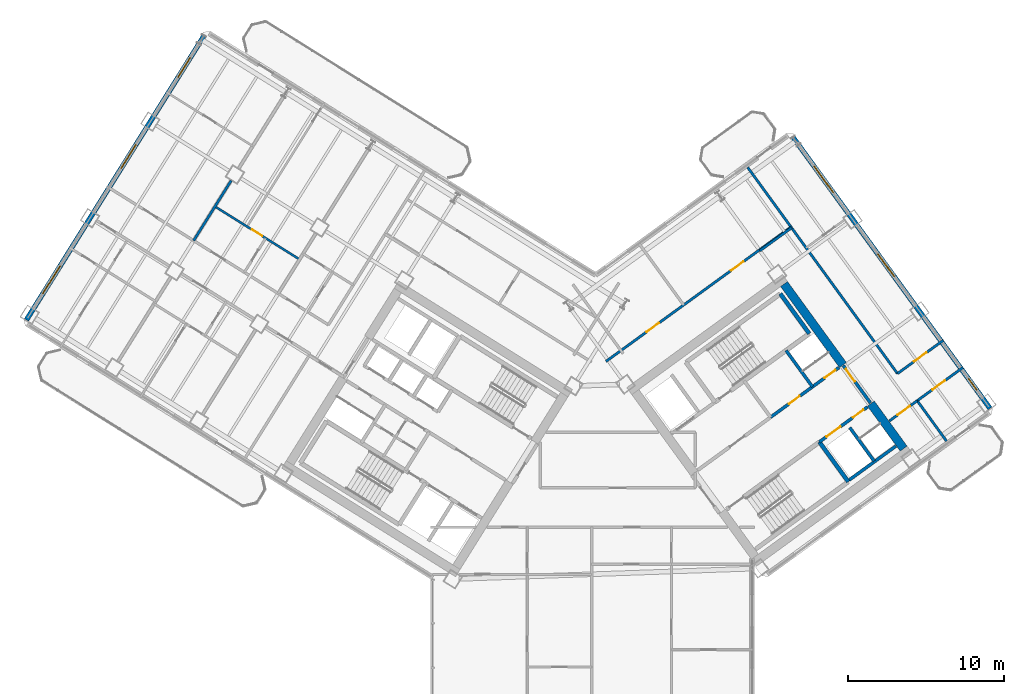
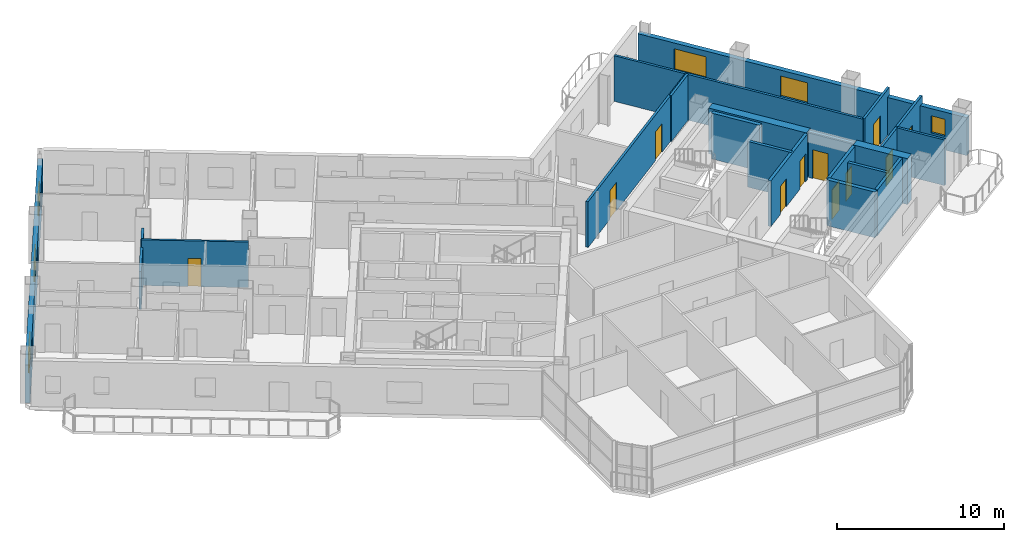
# One storey, part 15 of 21: 21 walls, 11 doors, 6 windows, 17 openings.
"""IFC4 building model written with IfcOpenShell, lengths in metres."""

from ifc_helpers import new_model, si_unit, direction, frame, frame_2d, origin, place, context, subcontext, project, spatial, rectangle, extrude, source, transform, mapped, material, layer, layer_set, type_object, element, fill, save


model = new_model("IFC4")

# Units and contexts
model_context = context("Model", 3, precision=1e-05, world=origin(), true_north=direction((0.0, 1.0)))
body_context = subcontext(model_context, "Body", "Model", "MODEL_VIEW")
ifc_project = project(units=[si_unit("LENGTHUNIT", "METRE"), si_unit("AREAUNIT", "SQUARE_METRE"), si_unit("VOLUMEUNIT", "CUBIC_METRE"), si_unit("PLANEANGLEUNIT", "RADIAN"), si_unit("MASSUNIT", "GRAM", prefix="KILO")], contexts=[model_context])

# Site, building, storey
site_placement = place(None, origin())
site = spatial("IfcSite", under=ifc_project, at=site_placement, CompositionType="ELEMENT")
building_placement = place(site_placement, origin())
building = spatial("IfcBuilding", under=site, at=building_placement, Name="Tlacorven Tower", CompositionType="ELEMENT")
storey_placement = place(building_placement, frame((0.0, 0.0, 112.5)))
storey = spatial("IfcBuildingStorey", under=building, at=storey_placement, Name="L28", CompositionType="ELEMENT", Elevation=112.5)

# Walls
ifc_material_1 = material(Name="Concrete C60/75", Category="concrete")
ifc_layer_1 = layer(ifc_material_1, 0.550048828125)
ifc_layer_set_1 = layer_set([ifc_layer_1], Name="Concrete C60/75")
wall_type_1 = type_object("IfcWallType", Name="WL-COR-550", PredefinedType="SHEAR", material=ifc_layer_set_1)
wall_1_placement = place(storey_placement, frame((61.9580078125, 20.453857421875, 0.0), z_axis=(0.0, 0.0, 1.0), x_axis=(-0.587802113096, 0.809004744015, 0.0)))
element("IfcWall", 1, at=wall_1_placement, inside=storey, type_object=wall_type_1, Name="L28 E core end wall E2.1", PredefinedType="SHEAR", context=body_context, shape_type="SweptSolid", body=[
    extrude(rectangle(XDim=3.574951171875, YDim=0.550048828125, at=frame_2d((1.78759765625, 0.0))), origin(), (0.0, 0.0, 1.0), 3.35009765625),
])
wall_2_placement = place(storey_placement, frame((58.06396484375, 25.8134765625, 0.0), z_axis=(0.0, 0.0, 1.0), x_axis=(-0.587764933797, 0.809031756236, 0.0)))
element("IfcWall", 2, at=wall_2_placement, inside=storey, type_object=wall_type_1, Name="L28 E core end wall E2.2", PredefinedType="SHEAR", context=body_context, shape_type="SweptSolid", body=[
    extrude(rectangle(XDim=6.425048828125, YDim=0.550048828125, at=frame_2d((3.21240234375, 0.0))), origin(), (0.0, 0.0, 1.0), 3.35009765625),
])
ifc_material_2 = material(Name="Gypsum plasterboard acoustic partition", Category="gypsum")
ifc_layer_2 = layer(ifc_material_2, 0.159912109375)
ifc_layer_set_2 = layer_set([ifc_layer_2], Name="Gypsum plasterboard acoustic partition")
wall_type_2 = type_object("IfcWallType", Name="WL-DEM-160", PredefinedType="PARTITIONING", material=ifc_layer_set_2)
wall_3_placement = place(storey_placement, frame((18.828125, 37.642578125, 0.0), z_axis=(0.0, 0.0, 1.0), x_axis=(-0.529926399231, -0.848043637673, 0.0)))
element("IfcWall", 3, at=wall_3_placement, inside=storey, type_object=wall_type_2, Name="L28 WS Demising Wall 2", PredefinedType="PARTITIONING", context=body_context, shape_type="SweptSolid", body=[
    extrude(rectangle(XDim=4.537841796875, YDim=0.159912109375, at=frame_2d((2.26904296875, 0.0))), origin(), (0.0, 0.0, 1.0), 2.77490234375),
])

# Wall, opening, door
wall_4_placement = place(storey_placement, frame((61.04150390625, 22.229248046875, 0.0), z_axis=(0.0, 0.0, 1.0), x_axis=(0.809075443949, 0.587704794942, 0.0)))
wall_4 = element("IfcWall", 4, at=wall_4_placement, inside=storey, type_object=wall_type_2, Name="L28 partition 90", PredefinedType="PARTITIONING", context=body_context, shape_type="SweptSolid", body=[
    extrude(rectangle(XDim=2.2080078125, YDim=0.159912109375, at=frame_2d((1.10400390625, 0.0))), origin(), (0.0, 0.0, 1.0), 3.340087890625),
])
opening_1_placement = place(wall_4_placement, frame((0.64794921875, 0.0, 0.0)))
opening_1 = element("IfcOpeningElement", 5, at=opening_1_placement, cuts=wall_4, Name="Opening D11", PredefinedType="OPENING", context=body_context, shape_type="SweptSolid", body=[
    extrude(rectangle(XDim=1.0, YDim=2.10009765625, at=frame_2d((0.5, 1.050048828125))), frame((0.0, 0.08984375, 0.0), z_axis=(0.0, -1.0, 0.0), x_axis=(1.0, 0.0, 0.0)), (0.0, 0.0, 1.0), 0.179931640625),
])
ifc_material_3 = material(Name="Fire-rated steel door assembly", Category="steel")
door_type_1 = type_object("IfcDoorType", Name="DR-FLT-FD60-1000", OperationType="NOTDEFINED", PredefinedType="DOOR", material=ifc_material_3)
shared_shape_1 = source(origin(), body_context, "Body", "SweptSolid", [
    extrude(rectangle(XDim=1.0, YDim=2.10009765625, at=frame_2d((0.5, 1.050048828125))), frame((0.0, 0.02490234375, 0.0), z_axis=(0.0, -1.0, 0.0), x_axis=(1.0, 0.0, 0.0)), (0.0, 0.0, 1.0), 0.050048828125),
])
door_1_placement = place(opening_1_placement, frame((1.0, 0.0, 0.0), z_axis=(0.0, 0.0, 1.0), x_axis=(-1.0, 0.0, 0.0)))
door_1 = element("IfcDoor", 6, at=door_1_placement, inside=storey, type_object=door_type_1, Name="L28 door 059", OperationType="SINGLE_SWING_RIGHT", OverallHeight=2.10009765625, OverallWidth=1.0, PredefinedType="DOOR", context=body_context, shape_type="MappedRepresentation", body=[
    mapped(shared_shape_1, transform((0.0, 0.0, 0.0), scale=1.0)),
])
fill(opening_1, door_1)

# Walls
wall_5_placement = place(storey_placement, frame((52.73876953125, 33.143310546875, 0.0), z_axis=(0.0, 0.0, 1.0), x_axis=(0.809000999347, 0.58780726693, 0.0)))
element("IfcWall", 7, at=wall_5_placement, inside=storey, type_object=wall_type_2, Name="L28 partition 91", PredefinedType="PARTITIONING", context=body_context, shape_type="SweptSolid", body=[
    extrude(rectangle(XDim=2.510009765625, YDim=0.159912109375, at=frame_2d((1.2548828125, 0.0))), origin(), (0.0, 0.0, 1.0), 3.340087890625),
])
wall_6_placement = place(storey_placement, frame((64.708740234375, 20.93798828125, 0.0), z_axis=(0.0, 0.0, 1.0), x_axis=(-0.587772420479, 0.809026317077, 0.0)))
element("IfcWall", 8, at=wall_6_placement, inside=storey, type_object=wall_type_2, Name="L28 partition 92", PredefinedType="PARTITIONING", context=body_context, shape_type="SweptSolid", body=[
    extrude(rectangle(XDim=3.199951171875, YDim=0.159912109375, at=frame_2d((1.60009765625, 0.0))), origin(), (0.0, 0.0, 1.0), 3.340087890625),
])
wall_7_placement = place(storey_placement, frame((61.564208984375, 25.266357421875, 0.0), z_axis=(0.0, 0.0, 1.0), x_axis=(-0.587784527444, 0.809017521007, 0.0)))
element("IfcWall", 9, at=wall_7_placement, inside=storey, type_object=wall_type_2, Name="L28 partition 93", PredefinedType="PARTITIONING", context=body_context, shape_type="SweptSolid", body=[
    extrude(rectangle(XDim=16.35009765625, YDim=0.159912109375, at=frame_2d((8.175048828125, 0.0))), origin(), (0.0, 0.0, 1.0), 3.340087890625),
])

# Wall, opening, door
wall_8_placement = place(storey_placement, frame((62.827880859375, 23.52685546875, 0.0), z_axis=(0.0, 0.0, 1.0), x_axis=(0.809003564202, 0.587803736896, 0.0)))
wall_8 = element("IfcWall", 10, at=wall_8_placement, inside=storey, type_object=wall_type_2, Name="L28 partition 95", PredefinedType="PARTITIONING", context=body_context, shape_type="SweptSolid", body=[
    extrude(rectangle(XDim=3.630126953125, YDim=0.159912109375, at=frame_2d((1.81494140625, 0.0))), origin(), (0.0, 0.0, 1.0), 3.340087890625),
])
opening_2_placement = place(wall_8_placement, frame((1.199951171875, 0.0, 0.0)))
opening_2 = element("IfcOpeningElement", 11, at=opening_2_placement, cuts=wall_8, Name="Opening D11", PredefinedType="OPENING", context=body_context, shape_type="SweptSolid", body=[
    extrude(rectangle(XDim=1.0, YDim=2.10009765625, at=frame_2d((0.5, 1.050048828125))), frame((0.0, 0.08984375, 0.0), z_axis=(0.0, -1.0, 0.0), x_axis=(1.0, 0.0, 0.0)), (0.0, 0.0, 1.0), 0.179931640625),
])
door_2_placement = place(opening_2_placement, frame((1.0, 0.0, 0.0), z_axis=(0.0, 0.0, 1.0), x_axis=(-1.0, 0.0, 0.0)))
door_2 = element("IfcDoor", 12, at=door_2_placement, inside=storey, type_object=door_type_1, Name="L28 door 063", OperationType="SINGLE_SWING_RIGHT", OverallHeight=2.10009765625, OverallWidth=1.0, PredefinedType="DOOR", context=body_context, shape_type="MappedRepresentation", body=[
    mapped(shared_shape_1, transform((0.0, 0.0, 0.0), scale=1.0)),
])
fill(opening_2, door_2)

wall_9_placement = place(storey_placement, frame((61.564208984375, 25.266357421875, 0.0), z_axis=(0.0, 0.0, 1.0), x_axis=(0.809012309495, 0.587791700422, 0.0)))
wall_9 = element("IfcWall", 13, at=wall_9_placement, inside=storey, type_object=wall_type_2, Name="L28 partition 96", PredefinedType="PARTITIONING", context=body_context, shape_type="SweptSolid", body=[
    extrude(rectangle(XDim=3.6298828125, YDim=0.159912109375, at=frame_2d((1.81494140625, 0.0))), origin(), (0.0, 0.0, 1.0), 3.340087890625),
])
opening_3_placement = place(wall_9_placement, frame((1.304931640625, 0.0, 0.0)))
opening_3 = element("IfcOpeningElement", 14, at=opening_3_placement, cuts=wall_9, Name="Opening D11", PredefinedType="OPENING", context=body_context, shape_type="SweptSolid", body=[
    extrude(rectangle(XDim=1.0, YDim=2.10009765625, at=frame_2d((0.5, 1.050048828125))), frame((0.0, 0.08984375, 0.0), z_axis=(0.0, -1.0, 0.0), x_axis=(1.0, 0.0, 0.0)), (0.0, 0.0, 1.0), 0.179931640625),
])
door_3_placement = place(opening_3_placement, origin())
door_3 = element("IfcDoor", 15, at=door_3_placement, inside=storey, type_object=door_type_1, Name="L28 door 061", OperationType="SINGLE_SWING_RIGHT", OverallHeight=2.10009765625, OverallWidth=1.0, PredefinedType="DOOR", context=body_context, shape_type="MappedRepresentation", body=[
    mapped(shared_shape_1, transform((0.0, 0.0, 0.0), scale=1.0)),
])
fill(opening_3, door_3)

# Wall, openings, doors
wall_10_placement = place(storey_placement, frame((42.86572265625, 26.04443359375, 0.0), z_axis=(0.0, 0.0, 1.0), x_axis=(0.809020254154, 0.587780765566, 0.0)))
wall_10 = element("IfcWall", 16, at=wall_10_placement, inside=storey, type_object=wall_type_2, Name="L28 partition 98", PredefinedType="PARTITIONING", context=body_context, shape_type="SweptSolid", body=[
    extrude(rectangle(XDim=14.670166015625, YDim=0.159912109375, at=frame_2d((7.3349609375, 0.0))), origin(), (0.0, 0.0, 1.0), 3.340087890625),
])
opening_4_placement = place(wall_10_placement, frame((3.215087890625, 0.0, 0.0)))
opening_4 = element("IfcOpeningElement", 17, at=opening_4_placement, cuts=wall_10, Name="Opening D11", PredefinedType="OPENING", context=body_context, shape_type="SweptSolid", body=[
    extrude(rectangle(XDim=1.0, YDim=2.10009765625, at=frame_2d((0.5, 1.050048828125))), frame((0.0, 0.08984375, 0.0), z_axis=(0.0, -1.0, 0.0), x_axis=(1.0, 0.0, 0.0)), (0.0, 0.0, 1.0), 0.179931640625),
])
opening_5_placement = place(wall_10_placement, frame((9.9150390625, 0.0, 0.0)))
opening_5 = element("IfcOpeningElement", 18, at=opening_5_placement, cuts=wall_10, Name="Opening D11", PredefinedType="OPENING", context=body_context, shape_type="SweptSolid", body=[
    extrude(rectangle(XDim=1.0, YDim=2.10009765625, at=frame_2d((0.5, 1.050048828125))), frame((0.0, 0.08984375, 0.0), z_axis=(0.0, -1.0, 0.0), x_axis=(1.0, 0.0, 0.0)), (0.0, 0.0, 1.0), 0.179931640625),
])
door_4_placement = place(opening_4_placement, origin())
door_4 = element("IfcDoor", 19, at=door_4_placement, inside=storey, type_object=door_type_1, Name="L28 door 064", OperationType="SINGLE_SWING_LEFT", OverallHeight=2.10009765625, OverallWidth=1.0, PredefinedType="DOOR", context=body_context, shape_type="MappedRepresentation", body=[
    mapped(shared_shape_1, transform((0.0, 0.0, 0.0), scale=1.0)),
])
fill(opening_4, door_4)
door_5_placement = place(opening_5_placement, origin())
door_5 = element("IfcDoor", 20, at=door_5_placement, inside=storey, type_object=door_type_1, Name="L28 door 065", OperationType="SINGLE_SWING_RIGHT", OverallHeight=2.10009765625, OverallWidth=1.0, PredefinedType="DOOR", context=body_context, shape_type="MappedRepresentation", body=[
    mapped(shared_shape_1, transform((0.0, 0.0, 0.0), scale=1.0)),
])
fill(opening_5, door_5)

# Wall, openings, windows
ifc_material_4 = material(Name="Precast concrete C45/55", Category="concrete")
ifc_layer_3 = layer(ifc_material_4, 0.320068359375)
ifc_layer_set_3 = layer_set([ifc_layer_3], Name="Precast concrete C45/55")
wall_type_3 = type_object("IfcWallType", Name="WL-EXT-320", PredefinedType="STANDARD", material=ifc_layer_set_3)
wall_11_placement = place(storey_placement, frame((5.699951171875, 28.71044921875, 0.0), z_axis=(0.0, 0.0, 1.0), x_axis=(0.529923711467, 0.8480453172, 0.0)))
wall_11 = element("IfcWall", 21, at=wall_11_placement, inside=storey, type_object=wall_type_3, Name="L28 Masonry-Frame Recessed Facade Wall 2", PredefinedType="STANDARD", context=body_context, shape_type="SweptSolid", body=[
    extrude(rectangle(XDim=21.58740234375, YDim=0.320068359375, at=frame_2d((10.793701171875, 0.0))), origin(), (0.0, 0.0, 1.0), 2.77490234375),
])
opening_6_placement = place(wall_11_placement, frame((1.983642578125, 0.0, 0.800048828125)))
opening_6 = element("IfcOpeningElement", 22, at=opening_6_placement, cuts=wall_11, Name="Opening WN04", PredefinedType="OPENING", context=body_context, shape_type="SweptSolid", body=[
    extrude(rectangle(XDim=2.10009765625, YDim=1.550048828125, at=frame_2d((1.050048828125, 0.77490234375))), frame((0.0, 0.169921875, 0.0), z_axis=(0.0, -1.0, 0.0), x_axis=(1.0, 0.0, 0.0)), (0.0, 0.0, 1.0), 0.340087890625),
])
opening_7_placement = place(wall_11_placement, frame((11.458740234375, 0.0, 0.85009765625)))
opening_7 = element("IfcOpeningElement", 23, at=opening_7_placement, cuts=wall_11, Name="Opening WN01", PredefinedType="OPENING", context=body_context, shape_type="SweptSolid", body=[
    extrude(rectangle(XDim=1.800048828125, YDim=1.5, at=frame_2d((0.89990234375, 0.75))), frame((0.0, 0.169921875, 0.0), z_axis=(0.0, -1.0, 0.0), x_axis=(1.0, 0.0, 0.0)), (0.0, 0.0, 1.0), 0.340087890625),
])
opening_8_placement = place(wall_11_placement, frame((18.334716796875, 0.0, 0.85009765625)))
opening_8 = element("IfcOpeningElement", 24, at=opening_8_placement, cuts=wall_11, Name="Opening WN02", PredefinedType="OPENING", context=body_context, shape_type="SweptSolid", body=[
    extrude(rectangle(XDim=1.5, YDim=1.5, at=frame_2d((0.75, 0.75))), frame((0.0, 0.169921875, 0.0), z_axis=(0.0, -1.0, 0.0), x_axis=(1.0, 0.0, 0.0)), (0.0, 0.0, 1.0), 0.340087890625),
])
ifc_material_5 = material(Name="Dark solar low-E double glazing in anodised aluminium frame", Category="aluminium")
window_type_1 = type_object("IfcWindowType", Name="WN-APT-2100X1750", PartitioningType="SINGLE_PANEL", PredefinedType="WINDOW", material=ifc_material_5)
shared_shape_2 = source(origin(), body_context, "Body", "SweptSolid", [
    extrude(rectangle(XDim=2.10009765625, YDim=1.550048828125, at=frame_2d((1.050048828125, 0.77490234375))), frame((0.0, 0.030029296875, 0.0), z_axis=(0.0, -1.0, 0.0), x_axis=(1.0, 0.0, 0.0)), (0.0, 0.0, 1.0), 0.06005859375),
])
window_1_placement = place(opening_6_placement, origin())
window_1 = element("IfcWindow", 25, at=window_1_placement, inside=storey, type_object=window_type_1, Name="L28 Recessed Masonry-Frame Window L28-02.1", OverallHeight=1.550048828125, OverallWidth=2.10009765625, PartitioningType="SINGLE_PANEL", PredefinedType="WINDOW", context=body_context, shape_type="MappedRepresentation", body=[
    mapped(shared_shape_2, transform((0.0, 0.0, 0.0), scale=1.0)),
])
fill(opening_6, window_1)
window_type_2 = type_object("IfcWindowType", Name="WN-APT-1800X1650", PartitioningType="SINGLE_PANEL", PredefinedType="WINDOW", material=ifc_material_5)
shared_shape_3 = source(origin(), body_context, "Body", "SweptSolid", [
    extrude(rectangle(XDim=1.800048828125, YDim=1.5, at=frame_2d((0.89990234375, 0.75))), frame((0.0, 0.030029296875, 0.0), z_axis=(0.0, -1.0, 0.0), x_axis=(1.0, 0.0, 0.0)), (0.0, 0.0, 1.0), 0.06005859375),
])
window_2_placement = place(opening_7_placement, origin())
window_2 = element("IfcWindow", 26, at=window_2_placement, inside=storey, type_object=window_type_2, Name="L28 Recessed Masonry-Frame Window L28-02.2", OverallHeight=1.5, OverallWidth=1.800048828125, PartitioningType="SINGLE_PANEL", PredefinedType="WINDOW", context=body_context, shape_type="MappedRepresentation", body=[
    mapped(shared_shape_3, transform((0.0, 0.0, 0.0), scale=1.0)),
])
fill(opening_7, window_2)
window_type_3 = type_object("IfcWindowType", Name="WN-APT-1500X1650", PartitioningType="SINGLE_PANEL", PredefinedType="WINDOW", material=ifc_material_5)
shared_shape_4 = source(origin(), body_context, "Body", "SweptSolid", [
    extrude(rectangle(XDim=1.5, YDim=1.5, at=frame_2d((0.75, 0.75))), frame((0.0, 0.030029296875, 0.0), z_axis=(0.0, -1.0, 0.0), x_axis=(1.0, 0.0, 0.0)), (0.0, 0.0, 1.0), 0.06005859375),
])
window_3_placement = place(opening_8_placement, origin())
window_3 = element("IfcWindow", 27, at=window_3_placement, inside=storey, type_object=window_type_3, Name="L28 Recessed Masonry-Frame Window L28-02.3", OverallHeight=1.5, OverallWidth=1.5, PartitioningType="SINGLE_PANEL", PredefinedType="WINDOW", context=body_context, shape_type="MappedRepresentation", body=[
    mapped(shared_shape_4, transform((0.0, 0.0, 0.0), scale=1.0)),
])
fill(opening_8, window_3)

wall_12_placement = place(storey_placement, frame((54.810302734375, 40.49951171875, 0.0), z_axis=(0.0, 0.0, 1.0), x_axis=(0.587783625747, -0.809018176127, 0.0)))
wall_12 = element("IfcWall", 28, at=wall_12_placement, inside=storey, type_object=wall_type_3, Name="L28 Masonry-Frame Recessed Facade Wall 5", PredefinedType="STANDARD", context=body_context, shape_type="SweptSolid", body=[
    extrude(rectangle(XDim=21.58740234375, YDim=0.320068359375, at=frame_2d((10.793701171875, 0.0))), origin(), (0.0, 0.0, 1.0), 2.77490234375),
])
opening_9_placement = place(wall_12_placement, frame((2.381103515625, 0.0, 0.800048828125)))
opening_9 = element("IfcOpeningElement", 29, at=opening_9_placement, cuts=wall_12, Name="Opening WN04", PredefinedType="OPENING", context=body_context, shape_type="SweptSolid", body=[
    extrude(rectangle(XDim=2.10009765625, YDim=1.550048828125, at=frame_2d((1.050048828125, 0.77490234375))), frame((0.0, 0.169921875, 0.0), z_axis=(0.0, -1.0, 0.0), x_axis=(1.0, 0.0, 0.0)), (0.0, 0.0, 1.0), 0.340087890625),
])
opening_10_placement = place(wall_12_placement, frame((9.34375, 0.0, 0.85009765625)))
opening_10 = element("IfcOpeningElement", 30, at=opening_10_placement, cuts=wall_12, Name="Opening WN01", PredefinedType="OPENING", context=body_context, shape_type="SweptSolid", body=[
    extrude(rectangle(XDim=1.800048828125, YDim=1.5, at=frame_2d((0.89990234375, 0.75))), frame((0.0, 0.169921875, 0.0), z_axis=(0.0, -1.0, 0.0), x_axis=(1.0, 0.0, 0.0)), (0.0, 0.0, 1.0), 0.340087890625),
])
opening_11_placement = place(wall_12_placement, frame((19.233642578125, 0.0, 1.0)))
opening_11 = element("IfcOpeningElement", 31, at=opening_11_placement, cuts=wall_12, Name="Opening WN05", PredefinedType="OPENING", context=body_context, shape_type="SweptSolid", body=[
    extrude(rectangle(XDim=0.89990234375, YDim=1.25, at=frame_2d((0.449951171875, 0.625))), frame((0.0, 0.169921875, 0.0), z_axis=(0.0, -1.0, 0.0), x_axis=(1.0, 0.0, 0.0)), (0.0, 0.0, 1.0), 0.340087890625),
])
window_4_placement = place(opening_9_placement, origin())
window_4 = element("IfcWindow", 32, at=window_4_placement, inside=storey, type_object=window_type_1, Name="L28 Recessed Masonry-Frame Window L28-05.1", OverallHeight=1.550048828125, OverallWidth=2.10009765625, PartitioningType="SINGLE_PANEL", PredefinedType="WINDOW", context=body_context, shape_type="MappedRepresentation", body=[
    mapped(shared_shape_2, transform((0.0, 0.0, 0.0), scale=1.0)),
])
fill(opening_9, window_4)
window_5_placement = place(opening_10_placement, origin())
window_5 = element("IfcWindow", 33, at=window_5_placement, inside=storey, type_object=window_type_2, Name="L28 Recessed Masonry-Frame Window L28-05.2", OverallHeight=1.5, OverallWidth=1.800048828125, PartitioningType="SINGLE_PANEL", PredefinedType="WINDOW", context=body_context, shape_type="MappedRepresentation", body=[
    mapped(shared_shape_3, transform((0.0, 0.0, 0.0), scale=1.0)),
])
fill(opening_10, window_5)
window_type_4 = type_object("IfcWindowType", Name="WN-APT-0900X1350", PartitioningType="SINGLE_PANEL", PredefinedType="WINDOW", material=ifc_material_5)
shared_shape_5 = source(origin(), body_context, "Body", "SweptSolid", [
    extrude(rectangle(XDim=0.89990234375, YDim=1.25, at=frame_2d((0.449951171875, 0.625))), frame((0.0, 0.030029296875, 0.0), z_axis=(0.0, -1.0, 0.0), x_axis=(1.0, 0.0, 0.0)), (0.0, 0.0, 1.0), 0.06005859375),
])
window_6_placement = place(opening_11_placement, origin())
window_6 = element("IfcWindow", 34, at=window_6_placement, inside=storey, type_object=window_type_4, Name="L28 Recessed Masonry-Frame Window L28-05.3", OverallHeight=1.25, OverallWidth=0.89990234375, PartitioningType="SINGLE_PANEL", PredefinedType="WINDOW", context=body_context, shape_type="MappedRepresentation", body=[
    mapped(shared_shape_5, transform((0.0, 0.0, 0.0), scale=1.0)),
])
fill(opening_11, window_6)

# Wall, opening, door
ifc_material_6 = material(Name="Moisture-resistant gypsum plumbing wall", Category="gypsum")
ifc_layer_4 = layer(ifc_material_6, 0.139892578125)
ifc_layer_set_4 = layer_set([ifc_layer_4], Name="Moisture-resistant gypsum plumbing wall")
wall_type_4 = type_object("IfcWallType", Name="WL-PLM-140", PredefinedType="PLUMBINGWALL", material=ifc_layer_set_4)
wall_13_placement = place(storey_placement, frame((23.218017578125, 32.590576171875, 0.0), z_axis=(0.0, 0.0, 1.0), x_axis=(-0.848056163074, 0.529906354247, 0.0)))
wall_13 = element("IfcWall", 35, at=wall_13_placement, inside=storey, type_object=wall_type_4, Name="L28 partition 65", PredefinedType="PLUMBINGWALL", context=body_context, shape_type="SweptSolid", body=[
    extrude(rectangle(XDim=6.39990234375, YDim=0.139892578125, at=frame_2d((3.199951171875, 0.0))), origin(), (0.0, 0.0, 1.0), 3.340087890625),
])
opening_12_placement = place(wall_13_placement, frame((2.823974609375, 0.0, 0.0)))
opening_12 = element("IfcOpeningElement", 36, at=opening_12_placement, cuts=wall_13, Name="Opening D22", PredefinedType="OPENING", context=body_context, shape_type="SweptSolid", body=[
    extrude(rectangle(XDim=0.780029296875, YDim=2.050048828125, at=frame_2d((0.39013671875, 1.02490234375))), frame((0.0, 0.080078125, 0.0), z_axis=(0.0, -1.0, 0.0), x_axis=(1.0, 0.0, 0.0)), (0.0, 0.0, 1.0), 0.159912109375),
])
ifc_material_7 = material(Name="Powder-coated aluminium and timber door", Category="wood")
door_type_2 = type_object("IfcDoorType", Name="DR-INT-WET-0780", OperationType="NOTDEFINED", PredefinedType="DOOR", material=ifc_material_7)
shared_shape_6 = source(origin(), body_context, "Body", "SweptSolid", [
    extrude(rectangle(XDim=0.780029296875, YDim=2.050048828125, at=frame_2d((0.39013671875, 1.02490234375))), frame((0.0, 0.02490234375, 0.0), z_axis=(0.0, -1.0, 0.0), x_axis=(1.0, 0.0, 0.0)), (0.0, 0.0, 1.0), 0.050048828125),
])
door_6_placement = place(opening_12_placement, origin())
door_6 = element("IfcDoor", 37, at=door_6_placement, inside=storey, type_object=door_type_2, Name="L28 door 039", OperationType="SINGLE_SWING_RIGHT", OverallHeight=2.050048828125, OverallWidth=0.780029296875, PredefinedType="DOOR", context=body_context, shape_type="MappedRepresentation", body=[
    mapped(shared_shape_6, transform((0.0, 0.0, 0.0), scale=1.0)),
])
fill(opening_12, door_6)

# Wall, openings, doors
ifc_material_8 = material(Name="Concrete C40/50", Category="concrete")
ifc_layer_5 = layer(ifc_material_8, 0.199951171875)
ifc_layer_set_5 = layer_set([ifc_layer_5], Name="Concrete C40/50")
wall_type_5 = type_object("IfcWallType", Name="WL-SHF-200", PredefinedType="STANDARD", material=ifc_layer_set_5)
wall_14_placement = place(storey_placement, frame((56.552978515625, 20.884033203125, 0.0), z_axis=(0.0, 0.0, 1.0), x_axis=(0.809023564264, 0.58777620951, 0.0)))
wall_14 = element("IfcWall", 38, at=wall_14_placement, inside=storey, type_object=wall_type_5, Name="L28 Core E South Lift Shaft Wall", PredefinedType="STANDARD", context=body_context, shape_type="SweptSolid", body=[
    extrude(rectangle(XDim=3.818115234375, YDim=0.199951171875, at=frame_2d((1.9091796875, 0.0))), origin(), (0.0, 0.0, 1.0), 3.340087890625),
])
opening_13_placement = place(wall_14_placement, frame((0.570068359375, 0.0, 0.0)))
opening_13 = element("IfcOpeningElement", 39, at=opening_13_placement, cuts=wall_14, Name="Opening LD01", PredefinedType="OPENING", context=body_context, shape_type="SweptSolid", body=[
    extrude(rectangle(XDim=1.10009765625, YDim=2.14990234375, at=frame_2d((0.550048828125, 1.074951171875))), frame((0.0, 0.10986328125, 0.0), z_axis=(0.0, -1.0, 0.0), x_axis=(1.0, 0.0, 0.0)), (0.0, 0.0, 1.0), 0.219970703125),
])
opening_14_placement = place(wall_14_placement, frame((2.64990234375, 0.0, 0.0)))
opening_14 = element("IfcOpeningElement", 40, at=opening_14_placement, cuts=wall_14, Name="Opening D19", PredefinedType="OPENING", context=body_context, shape_type="SweptSolid", body=[
    extrude(rectangle(XDim=0.860107421875, YDim=2.050048828125, at=frame_2d((0.43017578125, 1.02490234375))), frame((0.0, 0.10986328125, 0.0), z_axis=(0.0, -1.0, 0.0), x_axis=(1.0, 0.0, 0.0)), (0.0, 0.0, 1.0), 0.219970703125),
])
door_type_3 = type_object("IfcDoorType", Name="DR-RSR-FD60-0860", OperationType="NOTDEFINED", PredefinedType="DOOR", material=ifc_material_3)
shared_shape_7 = source(origin(), body_context, "Body", "SweptSolid", [
    extrude(rectangle(XDim=0.860107421875, YDim=2.050048828125, at=frame_2d((0.43017578125, 1.02490234375))), frame((0.0, 0.02490234375, 0.0), z_axis=(0.0, -1.0, 0.0), x_axis=(1.0, 0.0, 0.0)), (0.0, 0.0, 1.0), 0.050048828125),
])
door_7_placement = place(opening_14_placement, origin())
door_7 = element("IfcDoor", 41, at=door_7_placement, inside=storey, type_object=door_type_3, Name="L28 Smoke Extract Riser Access Door", OperationType="SINGLE_SWING_LEFT", OverallHeight=2.050048828125, OverallWidth=0.860107421875, PredefinedType="DOOR", context=body_context, shape_type="MappedRepresentation", body=[
    mapped(shared_shape_7, transform((0.0, 0.0, 0.0), scale=1.0)),
])
fill(opening_14, door_7)
door_type_4 = type_object("IfcDoorType", Name="DR-LFT-SLID-1100", OperationType="DOUBLE_DOOR_SLIDING", PredefinedType="DOOR", material=ifc_material_3)
shared_shape_8 = source(origin(), body_context, "Body", "SweptSolid", [
    extrude(rectangle(XDim=1.10009765625, YDim=2.14990234375, at=frame_2d((0.550048828125, 1.074951171875))), frame((0.0, 0.02490234375, 0.0), z_axis=(0.0, -1.0, 0.0), x_axis=(1.0, 0.0, 0.0)), (0.0, 0.0, 1.0), 0.050048828125),
])
door_8_placement = place(opening_13_placement, origin())
door_8 = element("IfcDoor", 42, at=door_8_placement, inside=storey, type_object=door_type_4, Name="L28 Lift PL-M4 Sliding Landing Door", OperationType="DOUBLE_DOOR_SLIDING", OverallHeight=2.14990234375, OverallWidth=1.10009765625, PredefinedType="DOOR", context=body_context, shape_type="MappedRepresentation", body=[
    mapped(shared_shape_8, transform((0.0, 0.0, 0.0), scale=1.0)),
])
fill(opening_13, door_8)

# Walls
wall_15_placement = place(storey_placement, frame((60.066650390625, 19.654541015625, 0.0), z_axis=(0.0, 0.0, 1.0), x_axis=(-0.587800520745, 0.809005900975, 0.0)))
element("IfcWall", 43, at=wall_15_placement, inside=storey, type_object=wall_type_5, Name="L28 partition 37", PredefinedType="STANDARD", context=body_context, shape_type="SweptSolid", body=[
    extrude(rectangle(XDim=2.659912109375, YDim=0.199951171875, at=frame_2d((1.330078125, 0.0))), origin(), (0.0, 0.0, 1.0), 3.340087890625),
])
wall_16_placement = place(storey_placement, frame((58.47216796875, 18.446533203125, 0.0), z_axis=(0.0, 0.0, 1.0), x_axis=(0.809018631237, 0.587782999339, 0.0)))
element("IfcWall", 44, at=wall_16_placement, inside=storey, type_object=wall_type_5, Name="L28 partition 39", PredefinedType="STANDARD", context=body_context, shape_type="SweptSolid", body=[
    extrude(rectangle(XDim=3.697998046875, YDim=0.199951171875, at=frame_2d((1.84912109375, 0.0))), origin(), (0.0, 0.0, 1.0), 3.340087890625),
])
wall_17_placement = place(storey_placement, frame((56.110595703125, 24.4189453125, 0.0), z_axis=(0.0, 0.0, 1.0), x_axis=(-0.58777848983, 0.809021907548, 0.0)))
element("IfcWall", 45, at=wall_17_placement, inside=storey, type_object=wall_type_5, Name="L28 partition 42", PredefinedType="STANDARD", context=body_context, shape_type="SweptSolid", body=[
    extrude(rectangle(XDim=2.880126953125, YDim=0.199951171875, at=frame_2d((1.43994140625, 0.0))), origin(), (0.0, 0.0, 1.0), 3.340087890625),
])

# Wall, openings, doors
wall_18_placement = place(storey_placement, frame((53.424560546875, 22.467529296875, 0.0), z_axis=(0.0, 0.0, 1.0), x_axis=(0.809024377198, 0.587775090574, 0.0)))
wall_18 = element("IfcWall", 46, at=wall_18_placement, inside=storey, type_object=wall_type_5, Name="L28 Core E North Service Wall", PredefinedType="STANDARD", context=body_context, shape_type="SweptSolid", body=[
    extrude(rectangle(XDim=5.41796875, YDim=0.199951171875, at=frame_2d((2.708984375, 0.0))), origin(), (0.0, 0.0, 1.0), 3.340087890625),
])
opening_15_placement = place(wall_18_placement, frame((4.280029296875, 0.0, 0.0)))
opening_15 = element("IfcOpeningElement", 47, at=opening_15_placement, cuts=wall_18, Name="Opening D19", PredefinedType="OPENING", context=body_context, shape_type="SweptSolid", body=[
    extrude(rectangle(XDim=0.860107421875, YDim=2.050048828125, at=frame_2d((0.43017578125, 1.02490234375))), frame((0.0, 0.10986328125, 0.0), z_axis=(0.0, -1.0, 0.0), x_axis=(1.0, 0.0, 0.0)), (0.0, 0.0, 1.0), 0.219970703125),
])
opening_16_placement = place(wall_18_placement, frame((1.449951171875, 0.0, 0.0)))
opening_16 = element("IfcOpeningElement", 48, at=opening_16_placement, cuts=wall_18, Name="Opening D19", PredefinedType="OPENING", context=body_context, shape_type="SweptSolid", body=[
    extrude(rectangle(XDim=0.860107421875, YDim=2.050048828125, at=frame_2d((0.43017578125, 1.02490234375))), frame((0.0, 0.10986328125, 0.0), z_axis=(0.0, -1.0, 0.0), x_axis=(1.0, 0.0, 0.0)), (0.0, 0.0, 1.0), 0.219970703125),
])
door_9_placement = place(opening_15_placement, frame((0.860107421875, 0.0, 0.0), z_axis=(0.0, 0.0, 1.0), x_axis=(-1.0, 0.0, 0.0)))
door_9 = element("IfcDoor", 49, at=door_9_placement, inside=storey, type_object=door_type_3, Name="L28 Electrical Riser Access Door E", OperationType="SINGLE_SWING_RIGHT", OverallHeight=2.050048828125, OverallWidth=0.860107421875, PredefinedType="DOOR", context=body_context, shape_type="MappedRepresentation", body=[
    mapped(shared_shape_7, transform((0.0, 0.0, 0.0), scale=1.0)),
])
fill(opening_15, door_9)
door_10_placement = place(opening_16_placement, frame((0.860107421875, 0.0, 0.0), z_axis=(0.0, 0.0, 1.0), x_axis=(-1.0, 0.0, 0.0)))
door_10 = element("IfcDoor", 50, at=door_10_placement, inside=storey, type_object=door_type_3, Name="L28 Housekeeping Linen Access Door E", OperationType="SINGLE_SWING_LEFT", OverallHeight=2.050048828125, OverallWidth=0.860107421875, PredefinedType="DOOR", context=body_context, shape_type="MappedRepresentation", body=[
    mapped(shared_shape_7, transform((0.0, 0.0, 0.0), scale=1.0)),
])
fill(opening_16, door_10)

# Wall, opening, door
wall_19_placement = place(storey_placement, frame((59.827392578125, 23.386474609375, 0.0), z_axis=(0.0, 0.0, 1.0), x_axis=(-0.587803840107, 0.809003489211, 0.0)))
wall_19 = element("IfcWall", 51, at=wall_19_placement, inside=storey, type_object=wall_type_5, Name="L28 partition 89", PredefinedType="STANDARD", context=body_context, shape_type="SweptSolid", body=[
    extrude(rectangle(XDim=2.960205078125, YDim=0.199951171875, at=frame_2d((1.47998046875, 0.0))), origin(), (0.0, 0.0, 1.0), 3.340087890625),
])
opening_17_placement = place(wall_19_placement, frame((1.679931640625, 0.0, 0.0)))
opening_17 = element("IfcOpeningElement", 52, at=opening_17_placement, cuts=wall_19, Name="Opening D11", PredefinedType="OPENING", context=body_context, shape_type="SweptSolid", body=[
    extrude(rectangle(XDim=1.0, YDim=2.10009765625, at=frame_2d((0.5, 1.050048828125))), frame((0.0, 0.10986328125, 0.0), z_axis=(0.0, -1.0, 0.0), x_axis=(1.0, 0.0, 0.0)), (0.0, 0.0, 1.0), 0.219970703125),
])
door_11_placement = place(opening_17_placement, origin())
door_11 = element("IfcDoor", 53, at=door_11_placement, inside=storey, type_object=door_type_1, Name="L28 door 060", OperationType="SINGLE_SWING_LEFT", OverallHeight=2.10009765625, OverallWidth=1.0, PredefinedType="DOOR", context=body_context, shape_type="MappedRepresentation", body=[
    mapped(shared_shape_1, transform((0.0, 0.0, 0.0), scale=1.0)),
])
fill(opening_17, door_11)

# Walls
ifc_material_9 = material(Name="Concrete C50/60", Category="concrete")
ifc_layer_6 = layer(ifc_material_9, 0.260009765625)
ifc_layer_set_6 = layer_set([ifc_layer_6], Name="Concrete C50/60")
wall_type_6 = type_object("IfcWallType", Name="WL-STW-260", PredefinedType="SHEAR", material=ifc_layer_set_6)
wall_20_placement = place(storey_placement, frame((55.906494140625, 27.83056640625, 0.0), z_axis=(0.0, 0.0, 1.0), x_axis=(-0.587804123638, 0.809003283204, 0.0)))
element("IfcWall", 54, at=wall_20_placement, inside=storey, type_object=wall_type_6, Name="L28 Stair E1 East Shear Wall", PredefinedType="SHEAR", context=body_context, shape_type="SweptSolid", body=[
    extrude(rectangle(XDim=3.159912109375, YDim=0.260009765625, at=frame_2d((1.580078125, 0.0))), origin(), (0.0, 0.0, 1.0), 3.35009765625),
])
wall_21_placement = place(storey_placement, frame((58.410400390625, 18.327392578125, 0.0), z_axis=(0.0, 0.0, 1.0), x_axis=(-0.58776738483, 0.809029975545, 0.0)))
element("IfcWall", 55, at=wall_21_placement, inside=storey, type_object=wall_type_6, Name="L28 Stair E2 East Shear Wall", PredefinedType="SHEAR", context=body_context, shape_type="SweptSolid", body=[
    extrude(rectangle(XDim=3.16015625, YDim=0.260009765625, at=frame_2d((1.580078125, 0.0))), origin(), (0.0, 0.0, 1.0), 3.35009765625),
])

save(model, "model.ifc")
